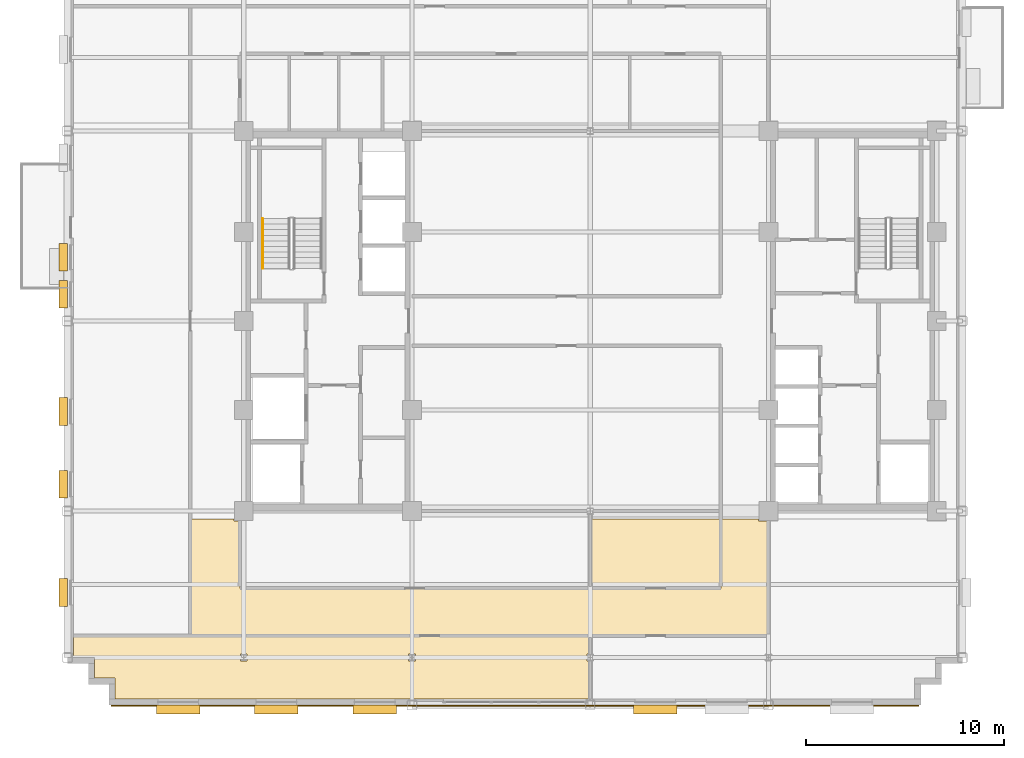
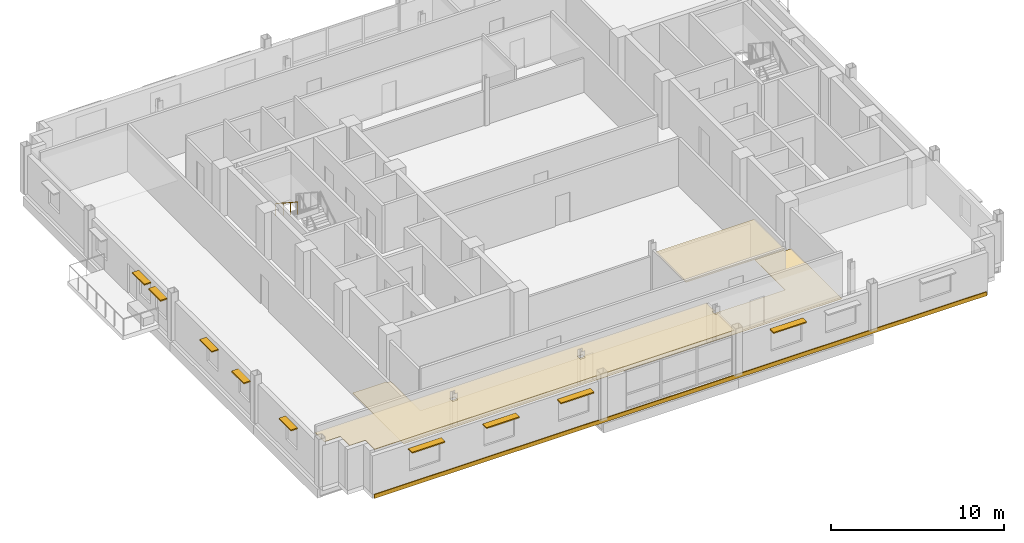
# One storey, part 12 of 15: 9 shading devices, 4 coverings, 1 railing.
"""IFC4 building model written with IfcOpenShell, lengths in metres."""

from ifc_helpers import new_model, si_unit, direction, frame, origin, origin_2d, place, context, subcontext, project, spatial, polyline, rectangle, circle, outline, extrude, source, transform, mapped, material, layer, layer_set, type_object, type_shapes, element, save


model = new_model("IFC4")

# Units and contexts
model_context = context("Model", 3, precision=1e-05, world=origin(), true_north=direction((0.0, 1.0)))
body_context = subcontext(model_context, "Body", "Model", "MODEL_VIEW")
ifc_project = project(units=[si_unit("LENGTHUNIT", "METRE"), si_unit("AREAUNIT", "SQUARE_METRE"), si_unit("VOLUMEUNIT", "CUBIC_METRE"), si_unit("PLANEANGLEUNIT", "RADIAN"), si_unit("MASSUNIT", "GRAM", prefix="KILO")], contexts=[model_context])

# Site, building, storey
site_placement = place(None, origin())
site = spatial("IfcSite", under=ifc_project, at=site_placement, CompositionType="ELEMENT")
building_placement = place(site_placement, origin())
building = spatial("IfcBuilding", under=site, at=building_placement, Name="Nuvemarco Arch Tower", CompositionType="ELEMENT")
storey_placement = place(building_placement, frame((0.0, 0.0, 223.75)))
storey = spatial("IfcBuildingStorey", under=building, at=storey_placement, Name="L59", CompositionType="ELEMENT", Elevation=223.75)

# Coverings
ifc_material_1 = material(Name="Mineral acoustic ceiling tile")
ifc_layer_1 = layer(ifc_material_1, 0.0400390625, Name="COV-ACOUSTIC-CLG")
ifc_layer_set_1 = layer_set([ifc_layer_1], Name="Mineral acoustic ceiling tile")
covering_type_1 = type_object("IfcCoveringType", Name="COV-ACOUSTIC-CLG", PredefinedType="CEILING", material=ifc_layer_set_1)
covering_1_placement = place(storey_placement, frame((0.0, 0.0, 2.85009765625)))
element("IfcCovering", 1, at=covering_1_placement, inside=storey, type_object=covering_type_1, Name="L59 suspended acoustic ceiling 5", PredefinedType="CEILING", context=body_context, shape_type="SweptSolid", body=[
    extrude(outline(polyline([(-26.090087890625, -16.989990234375), (-26.090087890625, -15.89990234375), (-20.199951171875, -15.89990234375), (-17.699951171875, -15.89990234375), (0.0, -15.89990234375), (0.0, -16.830078125), (-0.169921875, -16.830078125), (-0.169921875, -17.169921875), (0.0, -17.169921875), (0.0, -19.090087890625), (-23.989990234375, -19.090087890625), (-23.989990234375, -18.0400390625), (-25.0400390625, -18.0400390625), (-25.0400390625, -16.989990234375), (-26.090087890625, -16.989990234375)]), holes=[polyline([(-17.330078125, -16.830078125), (-17.669921875, -16.830078125), (-17.669921875, -17.169921875), (-17.330078125, -17.169921875), (-17.330078125, -16.830078125)]), polyline([(-8.830078125, -16.830078125), (-9.169921875, -16.830078125), (-9.169921875, -17.169921875), (-8.830078125, -17.169921875), (-8.830078125, -16.830078125)])]), origin(), (0.0, 0.0, 1.0), 0.039794921875),
])
covering_2_placement = place(storey_placement, frame((0.0, 0.0, 2.85009765625)))
element("IfcCovering", 2, at=covering_2_placement, inside=storey, type_object=covering_type_1, Name="L59 suspended acoustic ceiling 7", PredefinedType="CEILING", context=body_context, shape_type="SweptSolid", body=[
    extrude(outline(polyline([(6.60009765625, -13.5), (0.0, -13.5), (0.0, -10.0), (6.60009765625, -10.0), (6.60009765625, -13.5)])), origin(), (0.0, 0.0, 1.0), 0.039794921875),
])
ifc_material_2 = material(Name="Polished granite terrazzostone flooring", Category="masonry")
ifc_layer_2 = layer(ifc_material_2, 0.02001953125, Name="COV-LOBBY-FLR")
ifc_layer_set_2 = layer_set([ifc_layer_2], Name="Polished granite terrazzostone flooring")
covering_type_2 = type_object("IfcCoveringType", Name="COV-LOBBY-FLR", PredefinedType="FLOORING", material=ifc_layer_set_2)
covering_3_placement = place(storey_placement, origin())
element("IfcCovering", 3, at=covering_3_placement, inside=storey, type_object=covering_type_2, Name="L59 polished terrazzo lobby flooring", PredefinedType="FLOORING", context=body_context, shape_type="SweptSolid", body=[
    extrude(outline(polyline([(-20.199951171875, -10.0), (-17.989990234375, -10.0), (-17.989990234375, -10.090087890625), (-17.699951171875, -10.090087890625), (-17.699951171875, -13.5), (6.60009765625, -13.5), (6.60009765625, -10.0), (8.510009765625, -10.0), (8.510009765625, -10.090087890625), (9.0, -10.090087890625), (9.0, -13.5), (9.0, -15.89990234375), (6.60009765625, -15.89990234375), (-17.699951171875, -15.89990234375), (-20.199951171875, -15.89990234375), (-20.199951171875, -13.5), (-20.199951171875, -10.0)])), origin(), (0.0, 0.0, 1.0), 0.02001953125),
])

# Railing
ifc_material_3 = material(Name="Brushed stainless steel handrail", Category="steel")
railing_type = type_object("IfcRailingType", Name="RL-HANDRAIL-900", PredefinedType="HANDRAIL", material=ifc_material_3)
railing_placement = place(storey_placement, frame((-16.550048828125, 5.169921875, 2.007568359375)))
element("IfcRailing", 4, at=railing_placement, inside=storey, type_object=railing_type, Name="L59 ST-1 stair handrail 2", PredefinedType="HANDRAIL", context=body_context, shape_type="SweptSolid", body=[
    extrude(circle(Radius=0.02392578125, at=origin_2d()), frame((0.0, 0.0, 0.8759765625), z_axis=(0.0, -0.837786554691, 0.545997883492), x_axis=(1.0, 0.0, 0.0)), (0.0, 0.0, 1.0), 3.008056640625),
    extrude(circle(Radius=0.02099609375, at=origin_2d()), origin(), (0.0, 0.0, 1.0), 0.851806640625),
    extrude(circle(Radius=0.02099609375, at=origin_2d()), frame((0.0, -0.840087890625, 0.54736328125)), (0.0, 0.0, 1.0), 0.851806640625),
    extrude(circle(Radius=0.02099609375, at=origin_2d()), frame((0.0, -1.679931640625, 1.094970703125)), (0.0, 0.0, 1.0), 0.851806640625),
    extrude(circle(Radius=0.02099609375, at=origin_2d()), frame((0.0, -2.52001953125, 1.642333984375)), (0.0, 0.0, 1.0), 0.851806640625),
])

# Shading devices
ifc_material_4 = material(Name="Anodised aluminium 6063-T6", Category="aluminium")
shading_device_type_1 = type_object("IfcShadingDeviceType", Name="SHD-BRISE-SOLEIL", PredefinedType="USERDEFINED", material=ifc_material_4)
shared_shape_1 = source(origin(), body_context, "Body", "SweptSolid", [
    extrude(rectangle(XDim=2.199951171875, YDim=0.449951171875, at=origin_2d()), origin(), (0.0, 0.0, 1.0), 0.080078125),
])
type_shapes(shading_device_type_1, [shared_shape_1])
for number, where, z_axis, x_axis, name in (
    (5, (-20.816650390625, -19.614990234375, 2.324951171875), (0.0, 0.0, 1.0), (1.0, 0.0, 0.0), "L59 horizontal brise-soleil sunshade"),
    (6, (-15.85009765625, -19.614990234375, 2.324951171875), (0.0, 0.0, 1.0), (1.0, 0.0, 0.0), "L59 horizontal brise-soleil sunshade"),
    (7, (-10.88330078125, -19.614990234375, 2.324951171875), (0.0, 0.0, 1.0), (1.0, 0.0, 0.0), "L59 horizontal brise-soleil sunshade"),
    (8, (3.283203125, -19.614990234375, 2.324951171875), (0.0, 0.0, 1.0), (1.0, 0.0, 0.0), "L59 horizontal brise-soleil sunshade"),
):
    element("IfcShadingDevice", number, at=place(storey_placement, frame(where, z_axis=z_axis, x_axis=x_axis)), inside=storey, type_object=shading_device_type_1, Name=name, ObjectType="SUNSHADE", PredefinedType="USERDEFINED", context=body_context, shape_type="MappedRepresentation", body=[
        mapped(shared_shape_1, transform((0.0, 0.0, 0.0), scale=1.0)),
    ])
shading_device_type_2 = type_object("IfcShadingDeviceType", Name="SHD-BRISE-NARROW", PredefinedType="USERDEFINED", material=ifc_material_4)
shared_shape_2 = source(origin(), body_context, "Body", "SweptSolid", [
    extrude(rectangle(XDim=1.39990234375, YDim=0.449951171875, at=origin_2d()), origin(), (0.0, 0.0, 1.0), 0.080078125),
])
type_shapes(shading_device_type_2, [shared_shape_2])
for number, where, z_axis, x_axis, name in (
    (9, (-26.614990234375, -13.708984375, 2.324951171875), (0.0, 0.0, 1.0), (0.0, 1.0, 0.0), "L59 horizontal brise-soleil sunshade"),
    (10, (-26.614990234375, -8.239501953125, 2.324951171875), (0.0, 0.0, 1.0), (0.0, 1.0, 0.0), "L59 horizontal brise-soleil sunshade"),
    (11, (-26.614990234375, -4.569580078125, 2.324951171875), (0.0, 0.0, 1.0), (0.0, 1.0, 0.0), "L59 horizontal brise-soleil sunshade"),
    (12, (-26.614990234375, 1.35009765625, 2.324951171875), (0.0, 0.0, 1.0), (0.0, 1.0, 0.0), "L59 horizontal brise-soleil sunshade"),
    (13, (-26.614990234375, 3.2197265625, 2.324951171875), (0.0, 0.0, 1.0), (0.0, 1.0, 0.0), "L59 horizontal brise-soleil sunshade"),
):
    element("IfcShadingDevice", number, at=place(storey_placement, frame(where, z_axis=z_axis, x_axis=x_axis)), inside=storey, type_object=shading_device_type_2, Name=name, ObjectType="SUNSHADE", PredefinedType="USERDEFINED", context=body_context, shape_type="MappedRepresentation", body=[
        mapped(shared_shape_2, transform((0.0, 0.0, 0.0), scale=1.0)),
    ])

# Covering
ifc_material_5 = material(Name="Precast concrete C45/55", Category="concrete")
ifc_layer_3 = layer(ifc_material_5, 0.06005859375, Name="COV-SPANDREL-CLAD")
ifc_layer_set_3 = layer_set([ifc_layer_3], Name="Precast concrete C45/55")
covering_type_3 = type_object("IfcCoveringType", Name="COV-SPANDREL-CLAD", PredefinedType="CLADDING", material=ifc_layer_set_3)
shared_shape_3 = source(origin(), body_context, "Body", "SweptSolid", [
    extrude(rectangle(XDim=40.800048828125, YDim=0.06005859375, at=origin_2d()), origin(), (0.0, 0.0, 1.0), 0.280029296875),
])
type_shapes(covering_type_3, [shared_shape_3])
covering_4_placement = place(storey_placement, frame((-3.800048828125, -19.428955078125, -0.27978515625), z_axis=(0.0, 0.0, 1.0), x_axis=(1.0, 0.0, 0.0)))
element("IfcCovering", 14, at=covering_4_placement, inside=storey, type_object=covering_type_3, Name="L59 precast spandrel edge cladding south", PredefinedType="CLADDING", context=body_context, shape_type="MappedRepresentation", body=[
    mapped(shared_shape_3, transform((0.0, 0.0, 0.0), scale=1.0)),
])

save(model, "model.ifc")
